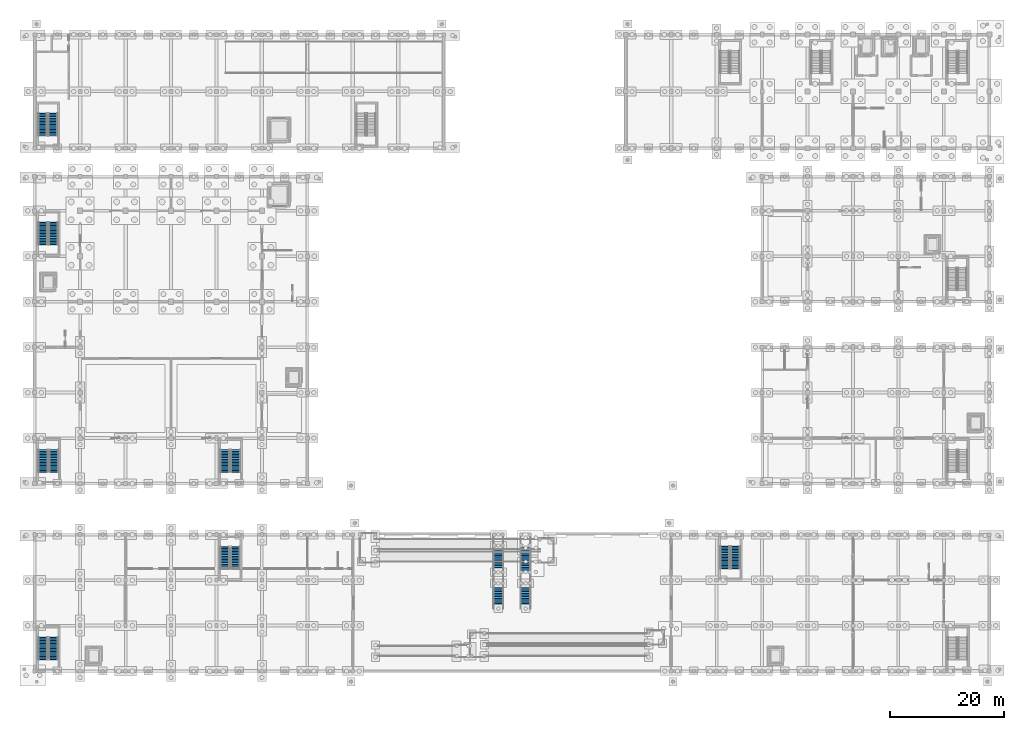
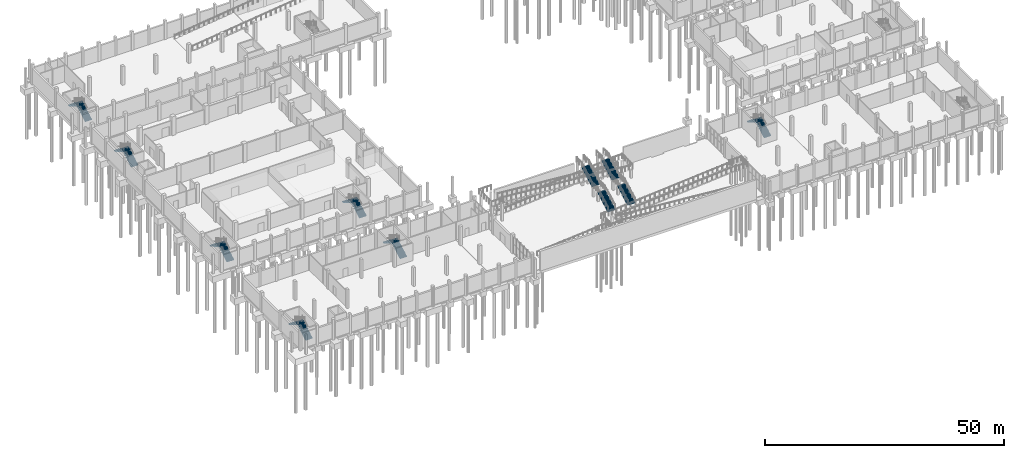
# One storey, part 35 of 52: 18 stair flights, 9 elements without a shape of their own.
"""IFC4 building model written with IfcOpenShell, lengths in metres."""

from ifc_helpers import new_model, si_unit, direction, frame, origin, place, context, subcontext, project, spatial, polyline, outline, extrude, material, type_object, element, aggregate, save


model = new_model("IFC4")

# Units and contexts
model_context = context("Model", 3, precision=1e-05, world=origin(), true_north=direction((0.0, 1.0)))
body_context = subcontext(model_context, "Body", "Model", "MODEL_VIEW")
ifc_project = project(units=[si_unit("LENGTHUNIT", "METRE"), si_unit("AREAUNIT", "SQUARE_METRE"), si_unit("VOLUMEUNIT", "CUBIC_METRE"), si_unit("PLANEANGLEUNIT", "RADIAN"), si_unit("MASSUNIT", "GRAM", prefix="KILO")], contexts=[model_context])

# Site, building, storey
site_placement = place(None, origin())
site = spatial("IfcSite", under=ifc_project, at=site_placement, CompositionType="ELEMENT")
building_placement = place(site_placement, origin())
building = spatial("IfcBuilding", under=site, at=building_placement, Name="Luwemba Playhouse", CompositionType="ELEMENT")
storey_placement = place(building_placement, frame((0.0, 0.0, -4.800048828125)))
storey = spatial("IfcBuildingStorey", under=building, at=storey_placement, Name="B1", CompositionType="ELEMENT", Elevation=-4.800048828125)

# Stair, stair flights
ifc_material_1 = material(Name="Concrete C32/40", Category="concrete")
stair_type_1 = type_object("IfcStairType", Name="STR-AMP-180", PredefinedType="TWO_STRAIGHT_RUN_STAIR", material=ifc_material_1)
stair_1_placement = place(storey_placement, origin())
stair_1 = element("IfcStair", 1, at=stair_1_placement, inside=storey, type_object=stair_type_1, Name="Sunken Metro Forecourt amphitheatre stair ST-11", PredefinedType="TWO_STRAIGHT_RUN_STAIR")
stair_flight_type_1 = type_object("IfcStairFlightType", Name="SFL-AMP-180", PredefinedType="STRAIGHT", material=ifc_material_1)
stair_flight_1_placement = place(storey_placement, frame((85.60009765625, 14.0, 0.0), z_axis=(0.0, 0.0, 1.0), x_axis=(0.0, 1.0, 0.0)))
stair_flight_1 = element("IfcStairFlight", 2, at=stair_flight_1_placement, type_object=stair_flight_type_1, Name="ST-11 flight 1", NumberOfRisers=15, NumberOfTreads=14, PredefinedType="STRAIGHT", RiserHeight=0.16, TreadLength=0.3, context=body_context, shape_type="SweptSolid", body=[
    extrude(outline(polyline([(-0.06005859375, -0.10009765625), (-0.06005859375, 0.0), (0.0, 0.0), (0.0, 0.159912109375), (0.300048828125, 0.159912109375), (0.300048828125, 0.320068359375), (0.60009765625, 0.320068359375), (0.60009765625, 0.47998046875), (0.89990234375, 0.47998046875), (0.89990234375, 0.639892578125), (1.199951171875, 0.639892578125), (1.199951171875, 0.800048828125), (1.5, 0.800048828125), (1.5, 0.9599609375), (1.800048828125, 0.9599609375), (1.800048828125, 1.1201171875), (2.10009765625, 1.1201171875), (2.10009765625, 1.280029296875), (2.39990234375, 1.280029296875), (2.39990234375, 1.43994140625), (2.699951171875, 1.43994140625), (2.699951171875, 1.60009765625), (3.0, 1.60009765625), (3.0, 1.760009765625), (3.300048828125, 1.760009765625), (3.300048828125, 1.919921875), (3.60009765625, 1.919921875), (3.60009765625, 2.080078125), (3.89990234375, 2.080078125), (3.89990234375, 2.239990234375), (4.199951171875, 2.239990234375), (4.199951171875, 2.39990234375), (4.260009765625, 2.39990234375), (4.260009765625, 2.239990234375), (4.199951171875, 2.080078125), (0.300048828125, -0.10009765625), (-0.06005859375, -0.10009765625)])), frame((0.0, 0.89990234375, 0.0), z_axis=(0.0, -1.0, 0.0), x_axis=(1.0, 0.0, 0.0)), (0.0, 0.0, 1.0), 1.800048828125),
])
stair_flight_2_placement = place(storey_placement, frame((85.60009765625, 20.64990234375, 2.400146484375), z_axis=(0.0, 0.0, 1.0), x_axis=(0.0, 1.0, 0.0)))
stair_flight_2 = element("IfcStairFlight", 3, at=stair_flight_2_placement, type_object=stair_flight_type_1, Name="ST-11 flight 2", NumberOfRisers=15, NumberOfTreads=14, PredefinedType="STRAIGHT", RiserHeight=0.16, TreadLength=0.3, context=body_context, shape_type="SweptSolid", body=[
    extrude(outline(polyline([(-0.06005859375, -0.10009765625), (-0.06005859375, 0.0), (0.0, 0.0), (0.0, 0.159912109375), (0.300048828125, 0.159912109375), (0.300048828125, 0.320068359375), (0.60009765625, 0.320068359375), (0.60009765625, 0.47998046875), (0.89990234375, 0.47998046875), (0.89990234375, 0.639892578125), (1.199951171875, 0.639892578125), (1.199951171875, 0.800048828125), (1.5, 0.800048828125), (1.5, 0.9599609375), (1.800048828125, 0.9599609375), (1.800048828125, 1.1201171875), (2.10009765625, 1.1201171875), (2.10009765625, 1.280029296875), (2.39990234375, 1.280029296875), (2.39990234375, 1.43994140625), (2.699951171875, 1.43994140625), (2.699951171875, 1.60009765625), (3.0, 1.60009765625), (3.0, 1.760009765625), (3.300048828125, 1.760009765625), (3.300048828125, 1.919921875), (3.60009765625, 1.919921875), (3.60009765625, 2.080078125), (3.89990234375, 2.080078125), (3.89990234375, 2.239990234375), (4.199951171875, 2.239990234375), (4.199951171875, 2.39990234375), (4.260009765625, 2.39990234375), (4.260009765625, 2.239990234375), (4.199951171875, 2.080078125), (0.300048828125, -0.10009765625), (-0.06005859375, -0.10009765625)])), frame((0.0, 0.89990234375, 0.0), z_axis=(0.0, -1.0, 0.0), x_axis=(1.0, 0.0, 0.0)), (0.0, 0.0, 1.0), 1.800048828125),
])
aggregate(stair_1, [stair_flight_1, stair_flight_2])

stair_2_placement = place(storey_placement, origin())
stair_2 = element("IfcStair", 4, at=stair_2_placement, inside=storey, type_object=stair_type_1, Name="Sunken Metro Forecourt amphitheatre stair ST-12", PredefinedType="TWO_STRAIGHT_RUN_STAIR")
stair_flight_3_placement = place(storey_placement, frame((90.39990234375, 14.0, 0.0), z_axis=(0.0, 0.0, 1.0), x_axis=(0.0, 1.0, 0.0)))
stair_flight_3 = element("IfcStairFlight", 5, at=stair_flight_3_placement, type_object=stair_flight_type_1, Name="ST-12 flight 1", NumberOfRisers=15, NumberOfTreads=14, PredefinedType="STRAIGHT", RiserHeight=0.16, TreadLength=0.3, context=body_context, shape_type="SweptSolid", body=[
    extrude(outline(polyline([(-0.06005859375, -0.10009765625), (-0.06005859375, 0.0), (0.0, 0.0), (0.0, 0.159912109375), (0.300048828125, 0.159912109375), (0.300048828125, 0.320068359375), (0.60009765625, 0.320068359375), (0.60009765625, 0.47998046875), (0.89990234375, 0.47998046875), (0.89990234375, 0.639892578125), (1.199951171875, 0.639892578125), (1.199951171875, 0.800048828125), (1.5, 0.800048828125), (1.5, 0.9599609375), (1.800048828125, 0.9599609375), (1.800048828125, 1.1201171875), (2.10009765625, 1.1201171875), (2.10009765625, 1.280029296875), (2.39990234375, 1.280029296875), (2.39990234375, 1.43994140625), (2.699951171875, 1.43994140625), (2.699951171875, 1.60009765625), (3.0, 1.60009765625), (3.0, 1.760009765625), (3.300048828125, 1.760009765625), (3.300048828125, 1.919921875), (3.60009765625, 1.919921875), (3.60009765625, 2.080078125), (3.89990234375, 2.080078125), (3.89990234375, 2.239990234375), (4.199951171875, 2.239990234375), (4.199951171875, 2.39990234375), (4.260009765625, 2.39990234375), (4.260009765625, 2.239990234375), (4.199951171875, 2.080078125), (0.300048828125, -0.10009765625), (-0.06005859375, -0.10009765625)])), frame((0.0, 0.89990234375, 0.0), z_axis=(0.0, -1.0, 0.0), x_axis=(1.0, 0.0, 0.0)), (0.0, 0.0, 1.0), 1.800048828125),
])
stair_flight_4_placement = place(storey_placement, frame((90.39990234375, 20.64990234375, 2.400146484375), z_axis=(0.0, 0.0, 1.0), x_axis=(0.0, 1.0, 0.0)))
stair_flight_4 = element("IfcStairFlight", 6, at=stair_flight_4_placement, type_object=stair_flight_type_1, Name="ST-12 flight 2", NumberOfRisers=15, NumberOfTreads=14, PredefinedType="STRAIGHT", RiserHeight=0.16, TreadLength=0.3, context=body_context, shape_type="SweptSolid", body=[
    extrude(outline(polyline([(-0.06005859375, -0.10009765625), (-0.06005859375, 0.0), (0.0, 0.0), (0.0, 0.159912109375), (0.300048828125, 0.159912109375), (0.300048828125, 0.320068359375), (0.60009765625, 0.320068359375), (0.60009765625, 0.47998046875), (0.89990234375, 0.47998046875), (0.89990234375, 0.639892578125), (1.199951171875, 0.639892578125), (1.199951171875, 0.800048828125), (1.5, 0.800048828125), (1.5, 0.9599609375), (1.800048828125, 0.9599609375), (1.800048828125, 1.1201171875), (2.10009765625, 1.1201171875), (2.10009765625, 1.280029296875), (2.39990234375, 1.280029296875), (2.39990234375, 1.43994140625), (2.699951171875, 1.43994140625), (2.699951171875, 1.60009765625), (3.0, 1.60009765625), (3.0, 1.760009765625), (3.300048828125, 1.760009765625), (3.300048828125, 1.919921875), (3.60009765625, 1.919921875), (3.60009765625, 2.080078125), (3.89990234375, 2.080078125), (3.89990234375, 2.239990234375), (4.199951171875, 2.239990234375), (4.199951171875, 2.39990234375), (4.260009765625, 2.39990234375), (4.260009765625, 2.239990234375), (4.199951171875, 2.080078125), (0.300048828125, -0.10009765625), (-0.06005859375, -0.10009765625)])), frame((0.0, 0.89990234375, 0.0), z_axis=(0.0, -1.0, 0.0), x_axis=(1.0, 0.0, 0.0)), (0.0, 0.0, 1.0), 1.800048828125),
])
aggregate(stair_2, [stair_flight_3, stair_flight_4])

ifc_material_2 = material(Name="Concrete C40/50", Category="concrete")
stair_type_2 = type_object("IfcStairType", Name="STR-DL-01", PredefinedType="HALF_TURN_STAIR", material=ifc_material_2)
stair_3_placement = place(storey_placement, origin())
stair_3 = element("IfcStair", 7, at=stair_3_placement, inside=storey, type_object=stair_type_2, Name="B1 Main Auditorium South-West Escape Stair", PredefinedType="HALF_TURN_STAIR")
stair_flight_type_2 = type_object("IfcStairFlightType", Name="SFL-DL-01", PredefinedType="STRAIGHT", material=ifc_material_2)
stair_flight_5_placement = place(storey_placement, frame((7.39990234375, 38.0400390625, 0.0), z_axis=(0.0, 0.0, 1.0), x_axis=(0.0, 1.0, 0.0)))
stair_flight_5 = element("IfcStairFlight", 8, at=stair_flight_5_placement, type_object=stair_flight_type_2, Name="ST-01 flight 1", NumberOfRisers=15, NumberOfTreads=14, PredefinedType="STRAIGHT", RiserHeight=0.16, TreadLength=0.28, context=body_context, shape_type="SweptSolid", body=[
    extrude(outline(polyline([(-0.06005859375, -0.10009765625), (-0.06005859375, 0.0), (0.0, 0.0), (0.0, 0.159912109375), (0.280029296875, 0.159912109375), (0.280029296875, 0.320068359375), (0.56005859375, 0.320068359375), (0.56005859375, 0.47998046875), (0.840087890625, 0.47998046875), (0.840087890625, 0.639892578125), (1.1201171875, 0.639892578125), (1.1201171875, 0.800048828125), (1.39990234375, 0.800048828125), (1.39990234375, 0.9599609375), (1.679931640625, 0.9599609375), (1.679931640625, 1.1201171875), (1.9599609375, 1.1201171875), (1.9599609375, 1.280029296875), (2.239990234375, 1.280029296875), (2.239990234375, 1.43994140625), (2.52001953125, 1.43994140625), (2.52001953125, 1.60009765625), (2.800048828125, 1.60009765625), (2.800048828125, 1.760009765625), (3.080078125, 1.760009765625), (3.080078125, 1.919921875), (3.360107421875, 1.919921875), (3.360107421875, 2.080078125), (3.639892578125, 2.080078125), (3.639892578125, 2.239990234375), (3.919921875, 2.239990234375), (3.919921875, 2.39990234375), (3.97998046875, 2.39990234375), (3.97998046875, 2.239990234375), (3.919921875, 2.080078125), (0.280029296875, -0.10009765625), (-0.06005859375, -0.10009765625)])), frame((0.0, 0.85009765625, 0.0), z_axis=(0.0, -1.0, 0.0), x_axis=(1.0, 0.0, 0.0)), (0.0, 0.0, 1.0), 1.699951171875),
])
stair_flight_6_placement = place(storey_placement, frame((5.5, 41.9599609375, 2.400146484375), z_axis=(0.0, 0.0, 1.0), x_axis=(0.0, -1.0, 0.0)))
stair_flight_6 = element("IfcStairFlight", 9, at=stair_flight_6_placement, type_object=stair_flight_type_2, Name="ST-01 flight 2", NumberOfRisers=15, NumberOfTreads=14, PredefinedType="STRAIGHT", RiserHeight=0.16, TreadLength=0.28, context=body_context, shape_type="SweptSolid", body=[
    extrude(outline(polyline([(-0.06005859375, -0.10009765625), (-0.06005859375, 0.0), (0.0, 0.0), (0.0, 0.159912109375), (0.280029296875, 0.159912109375), (0.280029296875, 0.320068359375), (0.56005859375, 0.320068359375), (0.56005859375, 0.47998046875), (0.840087890625, 0.47998046875), (0.840087890625, 0.639892578125), (1.1201171875, 0.639892578125), (1.1201171875, 0.800048828125), (1.39990234375, 0.800048828125), (1.39990234375, 0.9599609375), (1.679931640625, 0.9599609375), (1.679931640625, 1.1201171875), (1.9599609375, 1.1201171875), (1.9599609375, 1.280029296875), (2.239990234375, 1.280029296875), (2.239990234375, 1.43994140625), (2.52001953125, 1.43994140625), (2.52001953125, 1.60009765625), (2.800048828125, 1.60009765625), (2.800048828125, 1.760009765625), (3.080078125, 1.760009765625), (3.080078125, 1.919921875), (3.360107421875, 1.919921875), (3.360107421875, 2.080078125), (3.639892578125, 2.080078125), (3.639892578125, 2.239990234375), (3.919921875, 2.239990234375), (3.919921875, 2.39990234375), (3.97998046875, 2.39990234375), (3.97998046875, 2.239990234375), (3.919921875, 2.080078125), (0.280029296875, -0.10009765625), (-0.06005859375, -0.10009765625)])), frame((0.0, 0.85009765625, 0.0), z_axis=(0.0, -1.0, 0.0), x_axis=(1.0, 0.0, 0.0)), (0.0, 0.0, 1.0), 1.699951171875),
])
aggregate(stair_3, [stair_flight_5, stair_flight_6])

stair_4_placement = place(storey_placement, origin())
stair_4 = element("IfcStair", 10, at=stair_4_placement, inside=storey, type_object=stair_type_2, Name="B1 Main Auditorium South-East Escape Stair", PredefinedType="HALF_TURN_STAIR")
stair_flight_7_placement = place(storey_placement, frame((39.39990234375, 38.0400390625, 0.0), z_axis=(0.0, 0.0, 1.0), x_axis=(0.0, 1.0, 0.0)))
stair_flight_7 = element("IfcStairFlight", 11, at=stair_flight_7_placement, type_object=stair_flight_type_2, Name="ST-02 flight 1", NumberOfRisers=15, NumberOfTreads=14, PredefinedType="STRAIGHT", RiserHeight=0.16, TreadLength=0.28, context=body_context, shape_type="SweptSolid", body=[
    extrude(outline(polyline([(-0.06005859375, -0.10009765625), (-0.06005859375, 0.0), (0.0, 0.0), (0.0, 0.159912109375), (0.280029296875, 0.159912109375), (0.280029296875, 0.320068359375), (0.56005859375, 0.320068359375), (0.56005859375, 0.47998046875), (0.840087890625, 0.47998046875), (0.840087890625, 0.639892578125), (1.1201171875, 0.639892578125), (1.1201171875, 0.800048828125), (1.39990234375, 0.800048828125), (1.39990234375, 0.9599609375), (1.679931640625, 0.9599609375), (1.679931640625, 1.1201171875), (1.9599609375, 1.1201171875), (1.9599609375, 1.280029296875), (2.239990234375, 1.280029296875), (2.239990234375, 1.43994140625), (2.52001953125, 1.43994140625), (2.52001953125, 1.60009765625), (2.800048828125, 1.60009765625), (2.800048828125, 1.760009765625), (3.080078125, 1.760009765625), (3.080078125, 1.919921875), (3.360107421875, 1.919921875), (3.360107421875, 2.080078125), (3.639892578125, 2.080078125), (3.639892578125, 2.239990234375), (3.919921875, 2.239990234375), (3.919921875, 2.39990234375), (3.97998046875, 2.39990234375), (3.97998046875, 2.239990234375), (3.919921875, 2.080078125), (0.280029296875, -0.10009765625), (-0.06005859375, -0.10009765625)])), frame((0.0, 0.85009765625, 0.0), z_axis=(0.0, -1.0, 0.0), x_axis=(1.0, 0.0, 0.0)), (0.0, 0.0, 1.0), 1.699951171875),
])
stair_flight_8_placement = place(storey_placement, frame((37.5, 41.9599609375, 2.400146484375), z_axis=(0.0, 0.0, 1.0), x_axis=(0.0, -1.0, 0.0)))
stair_flight_8 = element("IfcStairFlight", 12, at=stair_flight_8_placement, type_object=stair_flight_type_2, Name="ST-02 flight 2", NumberOfRisers=15, NumberOfTreads=14, PredefinedType="STRAIGHT", RiserHeight=0.16, TreadLength=0.28, context=body_context, shape_type="SweptSolid", body=[
    extrude(outline(polyline([(-0.06005859375, -0.10009765625), (-0.06005859375, 0.0), (0.0, 0.0), (0.0, 0.159912109375), (0.280029296875, 0.159912109375), (0.280029296875, 0.320068359375), (0.56005859375, 0.320068359375), (0.56005859375, 0.47998046875), (0.840087890625, 0.47998046875), (0.840087890625, 0.639892578125), (1.1201171875, 0.639892578125), (1.1201171875, 0.800048828125), (1.39990234375, 0.800048828125), (1.39990234375, 0.9599609375), (1.679931640625, 0.9599609375), (1.679931640625, 1.1201171875), (1.9599609375, 1.1201171875), (1.9599609375, 1.280029296875), (2.239990234375, 1.280029296875), (2.239990234375, 1.43994140625), (2.52001953125, 1.43994140625), (2.52001953125, 1.60009765625), (2.800048828125, 1.60009765625), (2.800048828125, 1.760009765625), (3.080078125, 1.760009765625), (3.080078125, 1.919921875), (3.360107421875, 1.919921875), (3.360107421875, 2.080078125), (3.639892578125, 2.080078125), (3.639892578125, 2.239990234375), (3.919921875, 2.239990234375), (3.919921875, 2.39990234375), (3.97998046875, 2.39990234375), (3.97998046875, 2.239990234375), (3.919921875, 2.080078125), (0.280029296875, -0.10009765625), (-0.06005859375, -0.10009765625)])), frame((0.0, 0.85009765625, 0.0), z_axis=(0.0, -1.0, 0.0), x_axis=(1.0, 0.0, 0.0)), (0.0, 0.0, 1.0), 1.699951171875),
])
aggregate(stair_4, [stair_flight_7, stair_flight_8])

stair_type_3 = type_object("IfcStairType", Name="STR-DL-03", PredefinedType="HALF_TURN_STAIR", material=ifc_material_2)
stair_5_placement = place(storey_placement, origin())
stair_5 = element("IfcStair", 13, at=stair_5_placement, inside=storey, type_object=stair_type_3, Name="B1 Stage House West Escape Stair", PredefinedType="HALF_TURN_STAIR")
stair_flight_type_3 = type_object("IfcStairFlightType", Name="SFL-DL-03", PredefinedType="STRAIGHT", material=ifc_material_2)
stair_flight_9_placement = place(storey_placement, frame((7.324951171875, 78.0400390625, 0.0), z_axis=(0.0, 0.0, 1.0), x_axis=(0.0, 1.0, 0.0)))
stair_flight_9 = element("IfcStairFlight", 14, at=stair_flight_9_placement, type_object=stair_flight_type_3, Name="ST-03 flight 1", NumberOfRisers=15, NumberOfTreads=14, PredefinedType="STRAIGHT", RiserHeight=0.16, TreadLength=0.28, context=body_context, shape_type="SweptSolid", body=[
    extrude(outline(polyline([(-0.06005859375, -0.10009765625), (-0.06005859375, 0.0), (0.0, 0.0), (0.0, 0.159912109375), (0.280029296875, 0.159912109375), (0.280029296875, 0.320068359375), (0.56005859375, 0.320068359375), (0.56005859375, 0.47998046875), (0.840087890625, 0.47998046875), (0.840087890625, 0.639892578125), (1.1201171875, 0.639892578125), (1.1201171875, 0.800048828125), (1.39990234375, 0.800048828125), (1.39990234375, 0.9599609375), (1.679931640625, 0.9599609375), (1.679931640625, 1.1201171875), (1.9599609375, 1.1201171875), (1.9599609375, 1.280029296875), (2.239990234375, 1.280029296875), (2.239990234375, 1.43994140625), (2.52001953125, 1.43994140625), (2.52001953125, 1.60009765625), (2.800048828125, 1.60009765625), (2.800048828125, 1.760009765625), (3.080078125, 1.760009765625), (3.080078125, 1.919921875), (3.360107421875, 1.919921875), (3.360107421875, 2.080078125), (3.639892578125, 2.080078125), (3.639892578125, 2.239990234375), (3.919921875, 2.239990234375), (3.919921875, 2.39990234375), (3.97998046875, 2.39990234375), (3.97998046875, 2.239990234375), (3.919921875, 2.080078125), (0.280029296875, -0.10009765625), (-0.06005859375, -0.10009765625)])), frame((0.0, 0.824951171875, 0.0), z_axis=(0.0, -1.0, 0.0), x_axis=(1.0, 0.0, 0.0)), (0.0, 0.0, 1.0), 1.64990234375),
])
stair_flight_10_placement = place(storey_placement, frame((5.47509765625, 81.9599609375, 2.400146484375), z_axis=(0.0, 0.0, 1.0), x_axis=(0.0, -1.0, 0.0)))
stair_flight_10 = element("IfcStairFlight", 15, at=stair_flight_10_placement, type_object=stair_flight_type_3, Name="ST-03 flight 2", NumberOfRisers=15, NumberOfTreads=14, PredefinedType="STRAIGHT", RiserHeight=0.16, TreadLength=0.28, context=body_context, shape_type="SweptSolid", body=[
    extrude(outline(polyline([(-0.06005859375, -0.10009765625), (-0.06005859375, 0.0), (0.0, 0.0), (0.0, 0.159912109375), (0.280029296875, 0.159912109375), (0.280029296875, 0.320068359375), (0.56005859375, 0.320068359375), (0.56005859375, 0.47998046875), (0.840087890625, 0.47998046875), (0.840087890625, 0.639892578125), (1.1201171875, 0.639892578125), (1.1201171875, 0.800048828125), (1.39990234375, 0.800048828125), (1.39990234375, 0.9599609375), (1.679931640625, 0.9599609375), (1.679931640625, 1.1201171875), (1.9599609375, 1.1201171875), (1.9599609375, 1.280029296875), (2.239990234375, 1.280029296875), (2.239990234375, 1.43994140625), (2.52001953125, 1.43994140625), (2.52001953125, 1.60009765625), (2.800048828125, 1.60009765625), (2.800048828125, 1.760009765625), (3.080078125, 1.760009765625), (3.080078125, 1.919921875), (3.360107421875, 1.919921875), (3.360107421875, 2.080078125), (3.639892578125, 2.080078125), (3.639892578125, 2.239990234375), (3.919921875, 2.239990234375), (3.919921875, 2.39990234375), (3.97998046875, 2.39990234375), (3.97998046875, 2.239990234375), (3.919921875, 2.080078125), (0.280029296875, -0.10009765625), (-0.06005859375, -0.10009765625)])), frame((0.0, 0.824951171875, 0.0), z_axis=(0.0, -1.0, 0.0), x_axis=(1.0, 0.0, 0.0)), (0.0, 0.0, 1.0), 1.64990234375),
])
aggregate(stair_5, [stair_flight_9, stair_flight_10])

stair_6_placement = place(storey_placement, origin())
stair_6 = element("IfcStair", 16, at=stair_6_placement, inside=storey, type_object=stair_type_3, Name="B1 Grand Foyer South-West Escape Stair", PredefinedType="HALF_TURN_STAIR")
stair_flight_11_placement = place(storey_placement, frame((7.324951171875, 5.0400390625, 0.0), z_axis=(0.0, 0.0, 1.0), x_axis=(0.0, 1.0, 0.0)))
stair_flight_11 = element("IfcStairFlight", 17, at=stair_flight_11_placement, type_object=stair_flight_type_3, Name="ST-04 flight 1", NumberOfRisers=15, NumberOfTreads=14, PredefinedType="STRAIGHT", RiserHeight=0.16, TreadLength=0.28, context=body_context, shape_type="SweptSolid", body=[
    extrude(outline(polyline([(-0.06005859375, -0.10009765625), (-0.06005859375, 0.0), (0.0, 0.0), (0.0, 0.159912109375), (0.280029296875, 0.159912109375), (0.280029296875, 0.320068359375), (0.56005859375, 0.320068359375), (0.56005859375, 0.47998046875), (0.840087890625, 0.47998046875), (0.840087890625, 0.639892578125), (1.1201171875, 0.639892578125), (1.1201171875, 0.800048828125), (1.39990234375, 0.800048828125), (1.39990234375, 0.9599609375), (1.679931640625, 0.9599609375), (1.679931640625, 1.1201171875), (1.9599609375, 1.1201171875), (1.9599609375, 1.280029296875), (2.239990234375, 1.280029296875), (2.239990234375, 1.43994140625), (2.52001953125, 1.43994140625), (2.52001953125, 1.60009765625), (2.800048828125, 1.60009765625), (2.800048828125, 1.760009765625), (3.080078125, 1.760009765625), (3.080078125, 1.919921875), (3.360107421875, 1.919921875), (3.360107421875, 2.080078125), (3.639892578125, 2.080078125), (3.639892578125, 2.239990234375), (3.919921875, 2.239990234375), (3.919921875, 2.39990234375), (3.97998046875, 2.39990234375), (3.97998046875, 2.239990234375), (3.919921875, 2.080078125), (0.280029296875, -0.10009765625), (-0.06005859375, -0.10009765625)])), frame((0.0, 0.824951171875, 0.0), z_axis=(0.0, -1.0, 0.0), x_axis=(1.0, 0.0, 0.0)), (0.0, 0.0, 1.0), 1.64990234375),
])
stair_flight_12_placement = place(storey_placement, frame((5.47509765625, 8.9599609375, 2.400146484375), z_axis=(0.0, 0.0, 1.0), x_axis=(0.0, -1.0, 0.0)))
stair_flight_12 = element("IfcStairFlight", 18, at=stair_flight_12_placement, type_object=stair_flight_type_3, Name="ST-04 flight 2", NumberOfRisers=15, NumberOfTreads=14, PredefinedType="STRAIGHT", RiserHeight=0.16, TreadLength=0.28, context=body_context, shape_type="SweptSolid", body=[
    extrude(outline(polyline([(-0.06005859375, -0.10009765625), (-0.06005859375, 0.0), (0.0, 0.0), (0.0, 0.159912109375), (0.280029296875, 0.159912109375), (0.280029296875, 0.320068359375), (0.56005859375, 0.320068359375), (0.56005859375, 0.47998046875), (0.840087890625, 0.47998046875), (0.840087890625, 0.639892578125), (1.1201171875, 0.639892578125), (1.1201171875, 0.800048828125), (1.39990234375, 0.800048828125), (1.39990234375, 0.9599609375), (1.679931640625, 0.9599609375), (1.679931640625, 1.1201171875), (1.9599609375, 1.1201171875), (1.9599609375, 1.280029296875), (2.239990234375, 1.280029296875), (2.239990234375, 1.43994140625), (2.52001953125, 1.43994140625), (2.52001953125, 1.60009765625), (2.800048828125, 1.60009765625), (2.800048828125, 1.760009765625), (3.080078125, 1.760009765625), (3.080078125, 1.919921875), (3.360107421875, 1.919921875), (3.360107421875, 2.080078125), (3.639892578125, 2.080078125), (3.639892578125, 2.239990234375), (3.919921875, 2.239990234375), (3.919921875, 2.39990234375), (3.97998046875, 2.39990234375), (3.97998046875, 2.239990234375), (3.919921875, 2.080078125), (0.280029296875, -0.10009765625), (-0.06005859375, -0.10009765625)])), frame((0.0, 0.824951171875, 0.0), z_axis=(0.0, -1.0, 0.0), x_axis=(1.0, 0.0, 0.0)), (0.0, 0.0, 1.0), 1.64990234375),
])
aggregate(stair_6, [stair_flight_11, stair_flight_12])

stair_7_placement = place(storey_placement, origin())
stair_7 = element("IfcStair", 19, at=stair_7_placement, inside=storey, type_object=stair_type_3, Name="B1 Grand Foyer North-East Escape Stair", PredefinedType="HALF_TURN_STAIR")
stair_flight_13_placement = place(storey_placement, frame((39.324951171875, 20.9599609375, 0.0), z_axis=(0.0, 0.0, 1.0), x_axis=(0.0, 1.0, 0.0)))
stair_flight_13 = element("IfcStairFlight", 20, at=stair_flight_13_placement, type_object=stair_flight_type_3, Name="ST-13 flight 1", NumberOfRisers=15, NumberOfTreads=14, PredefinedType="STRAIGHT", RiserHeight=0.16, TreadLength=0.28, context=body_context, shape_type="SweptSolid", body=[
    extrude(outline(polyline([(-0.06005859375, -0.10009765625), (-0.06005859375, 0.0), (0.0, 0.0), (0.0, 0.159912109375), (0.280029296875, 0.159912109375), (0.280029296875, 0.320068359375), (0.56005859375, 0.320068359375), (0.56005859375, 0.47998046875), (0.840087890625, 0.47998046875), (0.840087890625, 0.639892578125), (1.1201171875, 0.639892578125), (1.1201171875, 0.800048828125), (1.39990234375, 0.800048828125), (1.39990234375, 0.9599609375), (1.679931640625, 0.9599609375), (1.679931640625, 1.1201171875), (1.9599609375, 1.1201171875), (1.9599609375, 1.280029296875), (2.239990234375, 1.280029296875), (2.239990234375, 1.43994140625), (2.52001953125, 1.43994140625), (2.52001953125, 1.60009765625), (2.800048828125, 1.60009765625), (2.800048828125, 1.760009765625), (3.080078125, 1.760009765625), (3.080078125, 1.919921875), (3.360107421875, 1.919921875), (3.360107421875, 2.080078125), (3.639892578125, 2.080078125), (3.639892578125, 2.239990234375), (3.919921875, 2.239990234375), (3.919921875, 2.39990234375), (3.97998046875, 2.39990234375), (3.97998046875, 2.239990234375), (3.919921875, 2.080078125), (0.280029296875, -0.10009765625), (-0.06005859375, -0.10009765625)])), frame((0.0, 0.824951171875, 0.0), z_axis=(0.0, -1.0, 0.0), x_axis=(1.0, 0.0, 0.0)), (0.0, 0.0, 1.0), 1.64990234375),
])
stair_flight_14_placement = place(storey_placement, frame((37.47509765625, 24.8798828125, 2.400146484375), z_axis=(0.0, 0.0, 1.0), x_axis=(0.0, -1.0, 0.0)))
stair_flight_14 = element("IfcStairFlight", 21, at=stair_flight_14_placement, type_object=stair_flight_type_3, Name="ST-13 flight 2", NumberOfRisers=15, NumberOfTreads=14, PredefinedType="STRAIGHT", RiserHeight=0.16, TreadLength=0.28, context=body_context, shape_type="SweptSolid", body=[
    extrude(outline(polyline([(-0.06005859375, -0.10009765625), (-0.06005859375, 0.0), (0.0, 0.0), (0.0, 0.159912109375), (0.280029296875, 0.159912109375), (0.280029296875, 0.320068359375), (0.56005859375, 0.320068359375), (0.56005859375, 0.47998046875), (0.840087890625, 0.47998046875), (0.840087890625, 0.639892578125), (1.1201171875, 0.639892578125), (1.1201171875, 0.800048828125), (1.39990234375, 0.800048828125), (1.39990234375, 0.9599609375), (1.679931640625, 0.9599609375), (1.679931640625, 1.1201171875), (1.9599609375, 1.1201171875), (1.9599609375, 1.280029296875), (2.239990234375, 1.280029296875), (2.239990234375, 1.43994140625), (2.52001953125, 1.43994140625), (2.52001953125, 1.60009765625), (2.800048828125, 1.60009765625), (2.800048828125, 1.760009765625), (3.080078125, 1.760009765625), (3.080078125, 1.919921875), (3.360107421875, 1.919921875), (3.360107421875, 2.080078125), (3.639892578125, 2.080078125), (3.639892578125, 2.239990234375), (3.919921875, 2.239990234375), (3.919921875, 2.39990234375), (3.97998046875, 2.39990234375), (3.97998046875, 2.239990234375), (3.919921875, 2.080078125), (0.280029296875, -0.10009765625), (-0.06005859375, -0.10009765625)])), frame((0.0, 0.824951171875, 0.0), z_axis=(0.0, -1.0, 0.0), x_axis=(1.0, 0.0, 0.0)), (0.0, 0.0, 1.0), 1.64990234375),
])
aggregate(stair_7, [stair_flight_13, stair_flight_14])

stair_8_placement = place(storey_placement, origin())
stair_8 = element("IfcStair", 22, at=stair_8_placement, inside=storey, type_object=stair_type_3, Name="B1 Civic Cafe North-West Escape Stair", PredefinedType="HALF_TURN_STAIR")
stair_flight_15_placement = place(storey_placement, frame((127.324951171875, 21.0400390625, 0.0), z_axis=(0.0, 0.0, 1.0), x_axis=(0.0, 1.0, 0.0)))
stair_flight_15 = element("IfcStairFlight", 23, at=stair_flight_15_placement, type_object=stair_flight_type_3, Name="ST-14 flight 1", NumberOfRisers=15, NumberOfTreads=14, PredefinedType="STRAIGHT", RiserHeight=0.16, TreadLength=0.28, context=body_context, shape_type="SweptSolid", body=[
    extrude(outline(polyline([(-0.06005859375, -0.10009765625), (-0.06005859375, 0.0), (0.0, 0.0), (0.0, 0.159912109375), (0.280029296875, 0.159912109375), (0.280029296875, 0.320068359375), (0.56005859375, 0.320068359375), (0.56005859375, 0.47998046875), (0.840087890625, 0.47998046875), (0.840087890625, 0.639892578125), (1.1201171875, 0.639892578125), (1.1201171875, 0.800048828125), (1.39990234375, 0.800048828125), (1.39990234375, 0.9599609375), (1.679931640625, 0.9599609375), (1.679931640625, 1.1201171875), (1.9599609375, 1.1201171875), (1.9599609375, 1.280029296875), (2.239990234375, 1.280029296875), (2.239990234375, 1.43994140625), (2.52001953125, 1.43994140625), (2.52001953125, 1.60009765625), (2.800048828125, 1.60009765625), (2.800048828125, 1.760009765625), (3.080078125, 1.760009765625), (3.080078125, 1.919921875), (3.360107421875, 1.919921875), (3.360107421875, 2.080078125), (3.639892578125, 2.080078125), (3.639892578125, 2.239990234375), (3.919921875, 2.239990234375), (3.919921875, 2.39990234375), (3.97998046875, 2.39990234375), (3.97998046875, 2.239990234375), (3.919921875, 2.080078125), (0.280029296875, -0.10009765625), (-0.06005859375, -0.10009765625)])), frame((0.0, 0.824951171875, 0.0), z_axis=(0.0, -1.0, 0.0), x_axis=(1.0, 0.0, 0.0)), (0.0, 0.0, 1.0), 1.64990234375),
])
stair_flight_16_placement = place(storey_placement, frame((125.47509765625, 24.9599609375, 2.400146484375), z_axis=(0.0, 0.0, 1.0), x_axis=(0.0, -1.0, 0.0)))
stair_flight_16 = element("IfcStairFlight", 24, at=stair_flight_16_placement, type_object=stair_flight_type_3, Name="ST-14 flight 2", NumberOfRisers=15, NumberOfTreads=14, PredefinedType="STRAIGHT", RiserHeight=0.16, TreadLength=0.28, context=body_context, shape_type="SweptSolid", body=[
    extrude(outline(polyline([(-0.06005859375, -0.10009765625), (-0.06005859375, 0.0), (0.0, 0.0), (0.0, 0.159912109375), (0.280029296875, 0.159912109375), (0.280029296875, 0.320068359375), (0.56005859375, 0.320068359375), (0.56005859375, 0.47998046875), (0.840087890625, 0.47998046875), (0.840087890625, 0.639892578125), (1.1201171875, 0.639892578125), (1.1201171875, 0.800048828125), (1.39990234375, 0.800048828125), (1.39990234375, 0.9599609375), (1.679931640625, 0.9599609375), (1.679931640625, 1.1201171875), (1.9599609375, 1.1201171875), (1.9599609375, 1.280029296875), (2.239990234375, 1.280029296875), (2.239990234375, 1.43994140625), (2.52001953125, 1.43994140625), (2.52001953125, 1.60009765625), (2.800048828125, 1.60009765625), (2.800048828125, 1.760009765625), (3.080078125, 1.760009765625), (3.080078125, 1.919921875), (3.360107421875, 1.919921875), (3.360107421875, 2.080078125), (3.639892578125, 2.080078125), (3.639892578125, 2.239990234375), (3.919921875, 2.239990234375), (3.919921875, 2.39990234375), (3.97998046875, 2.39990234375), (3.97998046875, 2.239990234375), (3.919921875, 2.080078125), (0.280029296875, -0.10009765625), (-0.06005859375, -0.10009765625)])), frame((0.0, 0.824951171875, 0.0), z_axis=(0.0, -1.0, 0.0), x_axis=(1.0, 0.0, 0.0)), (0.0, 0.0, 1.0), 1.64990234375),
])
aggregate(stair_8, [stair_flight_15, stair_flight_16])

stair_type_4 = type_object("IfcStairType", Name="STR-DL-05", PredefinedType="HALF_TURN_STAIR", material=ifc_material_2)
stair_9_placement = place(storey_placement, origin())
stair_9 = element("IfcStair", 25, at=stair_9_placement, inside=storey, type_object=stair_type_4, Name="B1 Scene Dock West Escape Stair", PredefinedType="HALF_TURN_STAIR")
stair_flight_type_4 = type_object("IfcStairFlightType", Name="SFL-DL-05", PredefinedType="STRAIGHT", material=ifc_material_2)
stair_flight_17_placement = place(storey_placement, frame((7.25, 97.199951171875, 0.0), z_axis=(0.0, 0.0, 1.0), x_axis=(0.0, 1.0, 0.0)))
stair_flight_17 = element("IfcStairFlight", 26, at=stair_flight_17_placement, type_object=stair_flight_type_4, Name="ST-08 flight 1", NumberOfRisers=15, NumberOfTreads=14, PredefinedType="STRAIGHT", RiserHeight=0.16, TreadLength=0.28, context=body_context, shape_type="SweptSolid", body=[
    extrude(outline(polyline([(-0.06005859375, -0.10009765625), (-0.06005859375, 0.0), (0.0, 0.0), (0.0, 0.159912109375), (0.280029296875, 0.159912109375), (0.280029296875, 0.320068359375), (0.56005859375, 0.320068359375), (0.56005859375, 0.47998046875), (0.840087890625, 0.47998046875), (0.840087890625, 0.639892578125), (1.1201171875, 0.639892578125), (1.1201171875, 0.800048828125), (1.39990234375, 0.800048828125), (1.39990234375, 0.9599609375), (1.679931640625, 0.9599609375), (1.679931640625, 1.1201171875), (1.9599609375, 1.1201171875), (1.9599609375, 1.280029296875), (2.239990234375, 1.280029296875), (2.239990234375, 1.43994140625), (2.52001953125, 1.43994140625), (2.52001953125, 1.60009765625), (2.800048828125, 1.60009765625), (2.800048828125, 1.760009765625), (3.080078125, 1.760009765625), (3.080078125, 1.919921875), (3.360107421875, 1.919921875), (3.360107421875, 2.080078125), (3.639892578125, 2.080078125), (3.639892578125, 2.239990234375), (3.919921875, 2.239990234375), (3.919921875, 2.39990234375), (3.97998046875, 2.39990234375), (3.97998046875, 2.239990234375), (3.919921875, 2.080078125), (0.280029296875, -0.10009765625), (-0.06005859375, -0.10009765625)])), frame((0.0, 0.800048828125, 0.0), z_axis=(0.0, -1.0, 0.0), x_axis=(1.0, 0.0, 0.0)), (0.0, 0.0, 1.0), 1.60009765625),
])
stair_flight_18_placement = place(storey_placement, frame((5.449951171875, 101.1201171875, 2.400146484375), z_axis=(0.0, 0.0, 1.0), x_axis=(0.0, -1.0, 0.0)))
stair_flight_18 = element("IfcStairFlight", 27, at=stair_flight_18_placement, type_object=stair_flight_type_4, Name="ST-08 flight 2", NumberOfRisers=15, NumberOfTreads=14, PredefinedType="STRAIGHT", RiserHeight=0.16, TreadLength=0.28, context=body_context, shape_type="SweptSolid", body=[
    extrude(outline(polyline([(-0.06005859375, -0.10009765625), (-0.06005859375, 0.0), (0.0, 0.0), (0.0, 0.159912109375), (0.280029296875, 0.159912109375), (0.280029296875, 0.320068359375), (0.56005859375, 0.320068359375), (0.56005859375, 0.47998046875), (0.840087890625, 0.47998046875), (0.840087890625, 0.639892578125), (1.1201171875, 0.639892578125), (1.1201171875, 0.800048828125), (1.39990234375, 0.800048828125), (1.39990234375, 0.9599609375), (1.679931640625, 0.9599609375), (1.679931640625, 1.1201171875), (1.9599609375, 1.1201171875), (1.9599609375, 1.280029296875), (2.239990234375, 1.280029296875), (2.239990234375, 1.43994140625), (2.52001953125, 1.43994140625), (2.52001953125, 1.60009765625), (2.800048828125, 1.60009765625), (2.800048828125, 1.760009765625), (3.080078125, 1.760009765625), (3.080078125, 1.919921875), (3.360107421875, 1.919921875), (3.360107421875, 2.080078125), (3.639892578125, 2.080078125), (3.639892578125, 2.239990234375), (3.919921875, 2.239990234375), (3.919921875, 2.39990234375), (3.97998046875, 2.39990234375), (3.97998046875, 2.239990234375), (3.919921875, 2.080078125), (0.280029296875, -0.10009765625), (-0.06005859375, -0.10009765625)])), frame((0.0, 0.800048828125, 0.0), z_axis=(0.0, -1.0, 0.0), x_axis=(1.0, 0.0, 0.0)), (0.0, 0.0, 1.0), 1.60009765625),
])
aggregate(stair_9, [stair_flight_17, stair_flight_18])

save(model, "model.ifc")
